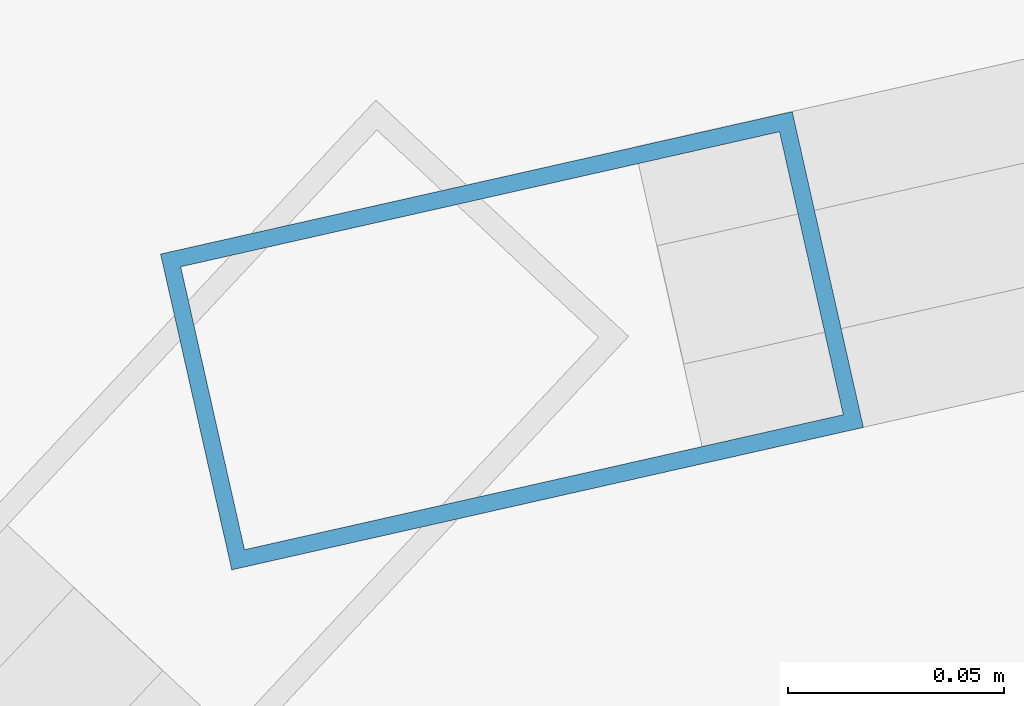
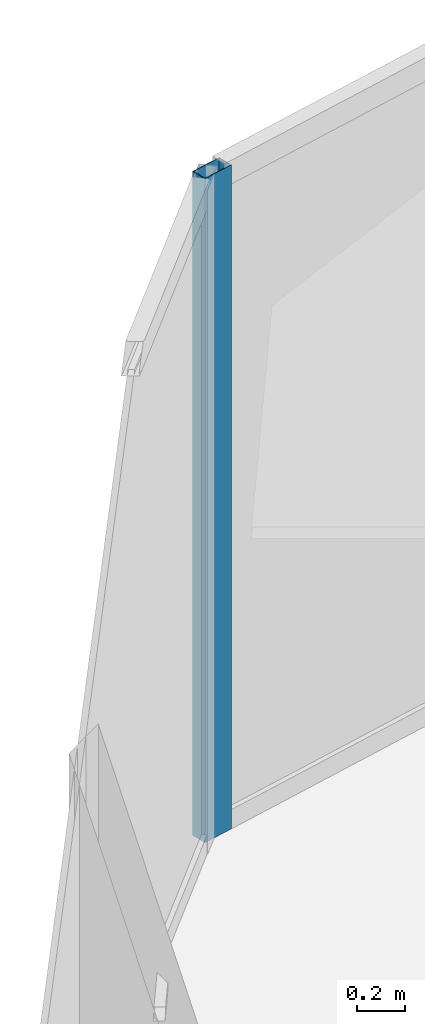
# One storey, part 17 of 33: 1 member, 1 element without a shape of its own.
"""IFC4 building model written with IfcOpenShell, lengths in metres."""

from ifc_helpers import new_model, si_unit, direction, frame, origin, origin_2d, place, context, subcontext, project, spatial, hollow_rectangle, extrude, material, layer, layer_set, material_profile, profile_set, type_object, element, aggregate, save


model = new_model("IFC4")

# Units and contexts
model_context = context("Model", 3, precision=1e-05, world=origin(), true_north=direction((0.0, 1.0)))
body_context = subcontext(model_context, "Body", "Model", "MODEL_VIEW")
ifc_project = project(units=[si_unit("LENGTHUNIT", "METRE"), si_unit("AREAUNIT", "SQUARE_METRE"), si_unit("VOLUMEUNIT", "CUBIC_METRE"), si_unit("PLANEANGLEUNIT", "RADIAN"), si_unit("MASSUNIT", "GRAM", prefix="KILO")], contexts=[model_context])

# Site, building, storey
site_placement = place(None, origin())
site = spatial("IfcSite", under=ifc_project, at=site_placement, CompositionType="ELEMENT")
building_placement = place(site_placement, origin())
building = spatial("IfcBuilding", under=site, at=building_placement, Name="Kazevale Care Tower and Concert Hall", CompositionType="ELEMENT")
storey_placement = place(building_placement, frame((0.0, 0.0, 27.60009765625)))
storey = spatial("IfcBuildingStorey", under=building, at=storey_placement, Name="L06", CompositionType="ELEMENT", Elevation=27.60009765625)

# Curtain wall, member
ifc_material_1 = material(Name="Aluminium 6063-T6 and Low-E Glass", Category="aluminium")
ifc_layer = layer(ifc_material_1, 0.179931640625)
ifc_layer_set = layer_set([ifc_layer], Name="Aluminium 6063-T6 and Low-E Glass")
curtain_wall_type = type_object("IfcCurtainWallType", Name="Convex Recessed Sunroom Curtain Wall CW-3", PredefinedType="NOTDEFINED", material=ifc_layer_set)
curtain_wall_placement = place(storey_placement, origin())
curtain_wall = element("IfcCurtainWall", 1, at=curtain_wall_placement, inside=storey, type_object=curtain_wall_type, Name="cw:L06:f15", PredefinedType="NOTDEFINED")
ifc_material_2 = material(Name="Aluminium 6063-T6", Category="aluminium")
ifc_material_profile = material_profile(ifc_material_2, hollow_rectangle(XDim=0.074951171875, YDim=0.14990234375, WallThickness=0.00390625, at=origin_2d()), Name="ALU75x150x4")
ifc_profile_set = profile_set([ifc_material_profile], Name="Aluminium 6063-T6")
member_type = type_object("IfcMemberType", Name="CW-3 Mullion ALU75x150x4", PredefinedType="MULLION", material=ifc_profile_set)
member_placement = place(storey_placement, frame((25.073486328125, 62.88525390625, 0.0), z_axis=(0.0, 0.0, 1.0), x_axis=(-0.219910670667, 0.975520013596, 0.0)))
member = element("IfcMember", 2, at=member_placement, type_object=member_type, Name="CW-3 mullion 1", PredefinedType="MULLION", context=body_context, shape_type="SweptSolid", body=[
    extrude(hollow_rectangle(XDim=0.074951171875, YDim=0.14990234375, WallThickness=0.00390625, at=origin_2d()), origin(), (0.0, 0.0, 1.0), 3.35986328125),
])
aggregate(curtain_wall, [member])

save(model, "model.ifc")
